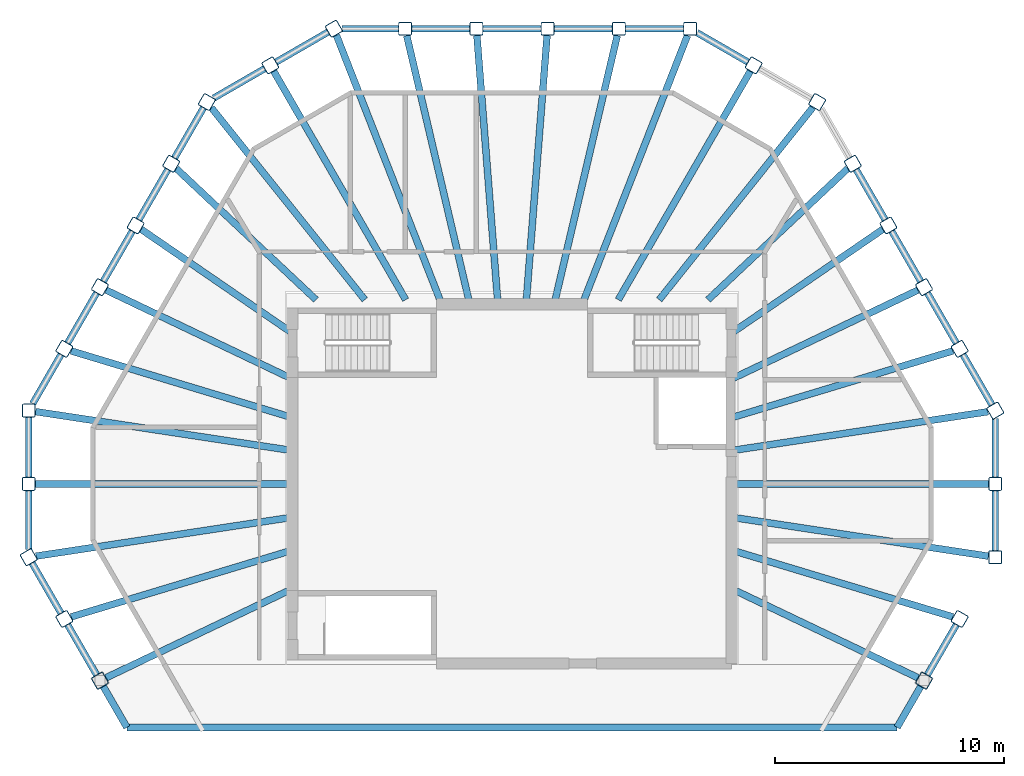
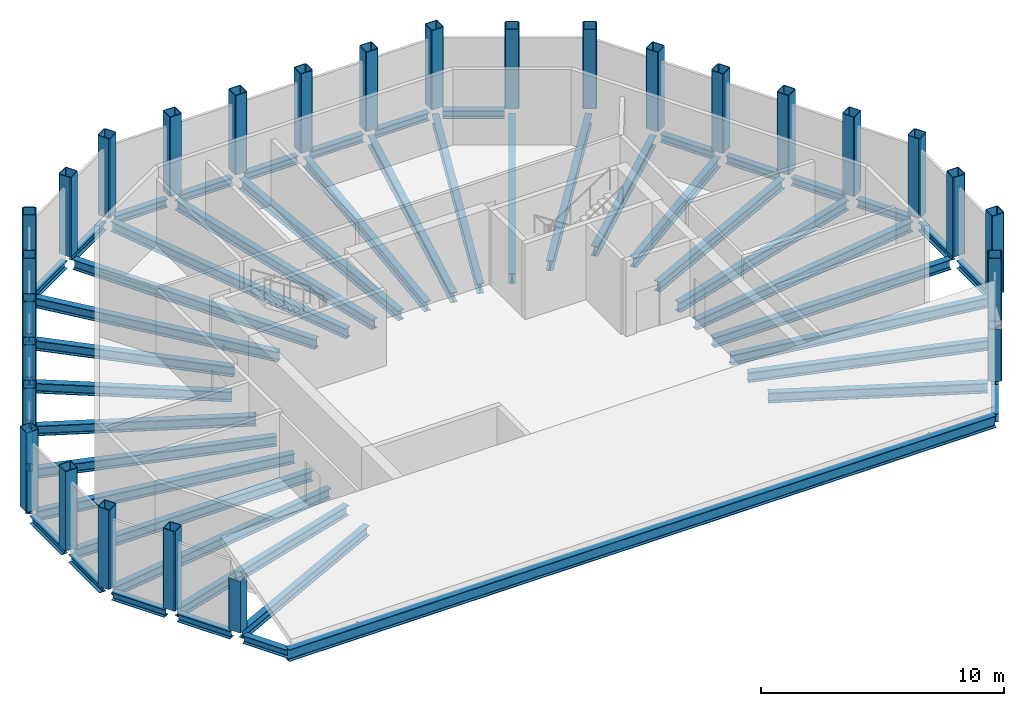
# One storey, part 1 of 4: 55 beams, 28 columns.
"""IFC4 building model written with IfcOpenShell, lengths in metres."""

import ifcopenshell
import ifcopenshell.guid

model = None  # the IFC model being written
_history = None  # IfcOwnerHistory: only IFC2X3 demands one
_inside = {}  # id of a spatial element -> (the spatial element, [elements in it])
_under = {}  # id of a project, library or spatial element -> (it, [spatial elements below it])
_declared = {}  # id of a project -> (the project, [libraries it declares])
_typed = {}  # id of a type object -> (the type object, [elements of that type])
_made_of = {}  # id of a material, layer set ... -> (it, [elements and type objects made of it])


def new_model(schema):
    """Start an empty IFC model of exactly this schema.

    Asked for "IFC4X3", IfcOpenShell would pick the latest addendum, in which some entities
    have other attributes; the version numbers below select the first issue.
    IFC2X3 requires an IfcOwnerHistory on every rooted entity: one is made here for all.
    """
    global model, _history
    if schema == "IFC4X3":
        model = ifcopenshell.file(schema_version=(4, 3, 0, 0))
    else:
        model = ifcopenshell.file(schema=schema)
    _inside.clear()
    _under.clear()
    _declared.clear()
    _typed.clear()
    _made_of.clear()
    _history = None
    if model.schema == "IFC2X3":
        org = make("IfcOrganization", Name="unknown")
        user = make(
            "IfcPersonAndOrganization",
            ThePerson=make("IfcPerson", FamilyName="unknown"),
            TheOrganization=org,
        )
        app = make(
            "IfcApplication",
            ApplicationDeveloper=org,
            Version="unknown",
            ApplicationFullName="unknown",
            ApplicationIdentifier="unknown",
        )
        _history = make(
            "IfcOwnerHistory",
            OwningUser=user,
            OwningApplication=app,
            ChangeAction="ADDED",
            CreationDate=0,
        )
    return model


def make(cls, **values):
    """One entity of the class cls with the attributes given. An attribute that is None is left unset."""
    return model.create_entity(
        cls, **{name: value for name, value in values.items() if value is not None}
    )


def rooted(cls, **values):
    """An entity with a GlobalId (a new one), such as an element, a storey or a relation."""
    return make(cls, GlobalId=ifcopenshell.guid.new(), OwnerHistory=_history, **values)


def si_unit(unit_type, name, prefix=None):
    """IfcSIUnit, for example si_unit("LENGTHUNIT", "METRE", prefix="MILLI")."""
    return make("IfcSIUnit", UnitType=unit_type, Prefix=prefix, Name=name)


def assignment(units):
    """IfcUnitAssignment: the units of a project."""
    return None if units is None else make("IfcUnitAssignment", Units=units)


def point(xyz):
    """IfcCartesianPoint."""
    return None if xyz is None else make("IfcCartesianPoint", Coordinates=xyz)


def direction(xyz):
    """IfcDirection."""
    return None if xyz is None else make("IfcDirection", DirectionRatios=xyz)


def frame(location, z_axis=None, x_axis=None):
    """IfcAxis2Placement3D, a coordinate frame: its origin and axes. An axis left out is left unset."""
    return make(
        "IfcAxis2Placement3D",
        Location=point(location),
        Axis=direction(z_axis),
        RefDirection=direction(x_axis),
    )


def frame_2d(location, x_axis=None):
    """IfcAxis2Placement2D, a coordinate frame in the plane: its origin and x axis."""
    return make(
        "IfcAxis2Placement2D", Location=point(location), RefDirection=direction(x_axis)
    )


def origin():
    """The frame at (0, 0, 0) with its axes left unset."""
    return frame((0.0, 0.0, 0.0))


def origin_2d():
    """The frame at (0, 0) in the plane with its x axis left unset."""
    return frame_2d((0.0, 0.0))


def place(relative_to, where):
    """IfcLocalPlacement: puts the frame where relative to a parent placement (None: the world)."""
    return make(
        "IfcLocalPlacement", PlacementRelTo=relative_to, RelativePlacement=where
    )


def context(
    kind, dimensions, precision=None, world=None, true_north=None, identifier=None
):
    """IfcGeometricRepresentationContext, for example the 3D "Model" context."""
    return make(
        "IfcGeometricRepresentationContext",
        ContextIdentifier=identifier,
        ContextType=kind,
        CoordinateSpaceDimension=dimensions,
        Precision=precision,
        WorldCoordinateSystem=world,
        TrueNorth=true_north,
    )


def subcontext(parent, identifier, kind, view, scale=None):
    """IfcGeometricRepresentationSubContext, for example "Body" below "Model"."""
    return make(
        "IfcGeometricRepresentationSubContext",
        ContextIdentifier=identifier,
        ContextType=kind,
        ParentContext=parent,
        TargetScale=scale,
        TargetView=view,
    )


def project(units=None, contexts=None):
    """IfcProject with its units and contexts."""
    return rooted(
        "IfcProject",
        Name="project",
        RepresentationContexts=contexts,
        UnitsInContext=assignment(units),
    )


def spatial(cls, under=None, at=None, **own):
    """A site, building, storey or space (cls), placed at a placement, below another one or the project."""
    s = rooted(cls, ObjectPlacement=at, **own)
    if under is not None:
        _under.setdefault(under.id(), (under, []))[1].append(s)
    return s


def profile(cls, at=None, kind="AREA", **sizes):
    """A parametric profile (cls). Its sizes go by their IFC names, for example OverallWidth=200.0."""
    return make(cls, ProfileType=kind, Position=at, **sizes)


def hollow_rectangle(**sizes):
    """IfcRectangleHollowProfileDef."""
    return profile("IfcRectangleHollowProfileDef", **sizes)


def i_section(**sizes):
    """IfcIShapeProfileDef."""
    return profile("IfcIShapeProfileDef", **sizes)


def extrude(swept, where, along, depth):
    """IfcExtrudedAreaSolid: the profile swept, set in the frame where, extruded along a direction by depth."""
    return make(
        "IfcExtrudedAreaSolid",
        SweptArea=swept,
        Position=where,
        ExtrudedDirection=direction(along),
        Depth=depth,
    )


def shape(context_of_items, identifier, shape_type, items):
    """IfcShapeRepresentation: the items that make up one representation, for example the "Body"."""
    return make(
        "IfcShapeRepresentation",
        ContextOfItems=context_of_items,
        RepresentationIdentifier=identifier,
        RepresentationType=shape_type,
        Items=items,
    )


def material(Name=None, Category=None):
    """IfcMaterial."""
    return make("IfcMaterial", Name=Name, Category=Category)


def material_profile(
    of_material, cross_section, Name=None, Category=None, Priority=None
):
    """IfcMaterialProfile: a cross section and its material."""
    return make(
        "IfcMaterialProfile",
        Name=Name,
        Material=of_material,
        Profile=cross_section,
        Priority=Priority,
        Category=Category,
    )


def profile_set(profiles, Name=None, composite=None):
    """IfcMaterialProfileSet."""
    return make(
        "IfcMaterialProfileSet",
        Name=Name,
        MaterialProfiles=profiles,
        CompositeProfile=composite,
    )


def made_of(thing, what):
    """Note that an element or type object is made of a material, layer set ...; save() writes the relation."""
    if what is not None:
        _made_of.setdefault(what.id(), (what, []))[1].append(thing)
    return thing


def type_object(cls, material=None, **own):
    """A type object (cls), such as IfcWallType, which elements share."""
    return made_of(rooted(cls, **own), material)


def element(
    cls,
    number,
    at=None,
    inside=None,
    cuts=None,
    type_object=None,
    material=None,
    context=None,
    identifier="Body",
    shape_type=None,
    held_by="IfcProductDefinitionShape",
    body=None,
    shapes=None,
    **own,
):
    """One element of the class cls, such as IfcWall. Its Tag is "e" and its number.

    at: its placement. inside: the storey or other place that contains it. cuts: it is an
    opening in that element (IfcRelVoidsElement). A single representation is given by context,
    identifier, shape_type and body (its items); several are given by shapes. held_by: the class
    of the entity that holds the representations. save() writes the other relations.
    """
    e = rooted(cls, Tag="e%d" % number, ObjectPlacement=at, **own)
    if body is not None:
        shapes = [shape(context, identifier, shape_type, body)]
    if shapes is not None:
        e.Representation = make(held_by, Representations=shapes)
    if inside is not None:
        _inside.setdefault(inside.id(), (inside, []))[1].append(e)
    if cuts is not None:
        rooted(
            "IfcRelVoidsElement", RelatingBuildingElement=cuts, RelatedOpeningElement=e
        )
    if type_object is not None:
        _typed.setdefault(type_object.id(), (type_object, []))[1].append(e)
    return made_of(e, material)


def aggregate(whole, parts):
    """IfcRelAggregates: a whole, such as a stair, and the parts it consists of."""
    return rooted("IfcRelAggregates", RelatingObject=whole, RelatedObjects=parts)


def save(model, path):
    """Write the relations noted so far, then the file.

    IfcRelAggregates (storeys below a building ...), IfcRelContainedInSpatialStructure (elements
    in a storey), IfcRelDefinesByType, IfcRelAssociatesMaterial and IfcRelDeclares: one each for
    every whole, place, type object, material and project.
    """
    for whole, parts in _under.values():
        aggregate(whole, parts)
    for where, things in _inside.values():
        rooted(
            "IfcRelContainedInSpatialStructure",
            RelatedElements=things,
            RelatingStructure=where,
        )
    for kind, things in _typed.values():
        rooted("IfcRelDefinesByType", RelatedObjects=things, RelatingType=kind)
    for what, things in _made_of.values():
        rooted("IfcRelAssociatesMaterial", RelatedObjects=things, RelatingMaterial=what)
    for by, libraries in _declared.values():
        rooted("IfcRelDeclares", RelatingContext=by, RelatedDefinitions=libraries)
    model.write(path)


model = new_model("IFC4")

# Units and contexts
model_context = context("Model", 3, precision=1e-05, world=origin(), true_north=direction((0.0, 1.0)))
body_context = subcontext(model_context, "Body", "Model", "MODEL_VIEW")
ifc_project = project(units=[si_unit("LENGTHUNIT", "METRE"), si_unit("AREAUNIT", "SQUARE_METRE"), si_unit("VOLUMEUNIT", "CUBIC_METRE"), si_unit("PLANEANGLEUNIT", "RADIAN"), si_unit("MASSUNIT", "GRAM", prefix="KILO")], contexts=[model_context])

# Site, building, storey
site_placement = place(None, origin())
site = spatial("IfcSite", under=ifc_project, at=site_placement, CompositionType="ELEMENT")
building_placement = place(site_placement, origin())
building = spatial("IfcBuilding", under=site, at=building_placement, Name="Frailejon Research Tower", CompositionType="ELEMENT")
storey_placement = place(building_placement, frame((0.0, 0.0, 356.60009765625)))
storey = spatial("IfcBuildingStorey", under=building, at=storey_placement, Name="L80", CompositionType="ELEMENT", Elevation=356.60009765625)

# Columns
ifc_material_1 = material(Name="Steel S355", Category="steel")
ifc_material_profile_1 = material_profile(ifc_material_1, hollow_rectangle(XDim=0.60009765625, YDim=0.60009765625, WallThickness=0.0400390625, InnerFilletRadius=0.0400390625, OuterFilletRadius=0.080078125, at=origin_2d()), Name="Crown column")
ifc_profile_set_1 = profile_set([ifc_material_profile_1], Name="Steel S355")
column_type = type_object("IfcColumnType", Name="Crown column", PredefinedType="COLUMN", material=ifc_profile_set_1)
for number, where, z_axis, x_axis, name in (
    (1, (21.12744140625, -3.2060546875, 0.0), (0.0, 0.0, 1.0), (0.0, 1.0, 0.0), "Column C01"),
    (2, (21.12744140625, 0.0, 0.0), (0.0, 0.0, 1.0), (0.0, 1.0, 0.0), "Column C02"),
    (3, (21.12744140625, 3.2060546875, 0.0), (0.0, 0.0, 1.0), (-0.5, 0.866025403784, 0.0), "Column C03"),
    (4, (19.570068359375, 5.903564453125, 0.0), (0.0, 0.0, 1.0), (-0.5, 0.866025403784, 0.0), "Column C04"),
    (5, (18.0126953125, 8.601318359375, 0.0), (0.0, 0.0, 1.0), (-0.5, 0.866025403784, 0.0), "Column C05"),
    (6, (16.455078125, 11.298828125, 0.0), (0.0, 0.0, 1.0), (-0.5, 0.866025403784, 0.0), "Column C06"),
    (7, (14.897705078125, 13.996337890625, 0.0), (0.0, 0.0, 1.0), (-0.5, 0.866025403784, 0.0), "Column C07"),
    (8, (13.34033203125, 16.69384765625, 0.0), (0.0, 0.0, 1.0), (-0.866025403784, 0.5, 0.0), "Column C08"),
    (9, (10.563720703125, 18.297119140625, 0.0), (0.0, 0.0, 1.0), (-0.866025403784, 0.5, 0.0), "Column C09"),
    (10, (7.787109375, 19.89990234375, 0.0), (0.0, 0.0, 1.0), (-1.0, 0.0, 0.0), "Column C10"),
    (11, (4.67236328125, 19.89990234375, 0.0), (0.0, 0.0, 1.0), (-1.0, 0.0, 0.0), "Column C11"),
    (12, (1.557373046875, 19.89990234375, 0.0), (0.0, 0.0, 1.0), (-1.0, 0.0, 0.0), "Column C12"),
    (13, (-1.557373046875, 19.89990234375, 0.0), (0.0, 0.0, 1.0), (-1.0, 0.0, 0.0), "Column C13"),
    (14, (-4.67236328125, 19.89990234375, 0.0), (0.0, 0.0, 1.0), (-1.0, 0.0, 0.0), "Column C14"),
    (15, (-7.787109375, 19.89990234375, 0.0), (0.0, 0.0, 1.0), (-0.866025403784, -0.5, 0.0), "Column C15"),
    (16, (-10.563720703125, 18.297119140625, 0.0), (0.0, 0.0, 1.0), (-0.866025403784, -0.5, 0.0), "Column C16"),
    (17, (-13.34033203125, 16.69384765625, 0.0), (0.0, 0.0, 1.0), (-0.5, -0.866025403784, 0.0), "Column C17"),
    (18, (-14.897705078125, 13.996337890625, 0.0), (0.0, 0.0, 1.0), (-0.5, -0.866025403784, 0.0), "Column C18"),
    (19, (-16.455078125, 11.298828125, 0.0), (0.0, 0.0, 1.0), (-0.5, -0.866025403784, 0.0), "Column C19"),
    (20, (-18.0126953125, 8.601318359375, 0.0), (0.0, 0.0, 1.0), (-0.5, -0.866025403784, 0.0), "Column C20"),
    (21, (-19.570068359375, 5.903564453125, 0.0), (0.0, 0.0, 1.0), (-0.5, -0.866025403784, 0.0), "Column C21"),
    (22, (-21.12744140625, 3.2060546875, 0.0), (0.0, 0.0, 1.0), (0.0, -1.0, 0.0), "Column C22"),
    (23, (-21.12744140625, 0.0, 0.0), (0.0, 0.0, 1.0), (0.0, -1.0, 0.0), "Column C23"),
    (24, (-21.12744140625, -3.2060546875, 0.0), (0.0, 0.0, 1.0), (0.5, -0.866025403784, 0.0), "Column C24"),
    (25, (-19.570068359375, -5.903564453125, 0.0), (0.0, 0.0, 1.0), (0.5, -0.866025403784, 0.0), "Column C25"),
):
    element("IfcColumn", number, at=place(storey_placement, frame(where, z_axis=z_axis, x_axis=x_axis)), inside=storey, type_object=column_type, Name=name, PredefinedType="COLUMN", context=body_context, shape_type="SweptSolid", body=[
        extrude(hollow_rectangle(XDim=0.60009765625, YDim=0.60009765625, WallThickness=0.0400390625, InnerFilletRadius=0.0400390625, OuterFilletRadius=0.080078125, at=origin_2d()), origin(), (0.0, 0.0, 1.0), 4.0),
    ])
for number, where, z_axis, x_axis, name in (
    (26, (-18.0126953125, -8.601318359375, 0.0), (0.0, 0.0, 1.0), (0.5, -0.866025403784, 0.0), "Column C26"),
    (27, (18.0126953125, -8.601318359375, 0.0), (0.0, 0.0, 1.0), (0.5, 0.866025403784, 0.0), "Column C41"),
):
    element("IfcColumn", number, at=place(storey_placement, frame(where, z_axis=z_axis, x_axis=x_axis)), inside=storey, type_object=column_type, Name=name, PredefinedType="COLUMN", context=body_context, shape_type="SweptSolid", body=[
        extrude(hollow_rectangle(XDim=0.60009765625, YDim=0.60009765625, WallThickness=0.0400390625, InnerFilletRadius=0.0400390625, OuterFilletRadius=0.080078125, at=origin_2d()), origin(), (0.0, 0.0, 1.0), 2.603515625),
    ])
column_placement = place(storey_placement, frame((19.570068359375, -5.903564453125, 0.0), z_axis=(0.0, 0.0, 1.0), x_axis=(0.5, 0.866025403784, 0.0)))
element("IfcColumn", 28, at=column_placement, inside=storey, type_object=column_type, Name="Column C42", PredefinedType="COLUMN", context=body_context, shape_type="SweptSolid", body=[
    extrude(hollow_rectangle(XDim=0.60009765625, YDim=0.60009765625, WallThickness=0.0400390625, InnerFilletRadius=0.0400390625, OuterFilletRadius=0.080078125, at=origin_2d()), origin(), (0.0, 0.0, 1.0), 4.0),
])

# Beams
ifc_material_2 = material(Name="Steel S355", Category="steel")
ifc_material_profile_2 = material_profile(ifc_material_2, i_section(OverallWidth=0.300048828125, OverallDepth=0.60009765625, WebThickness=0.015380859375, FlangeThickness=0.030029296875, FilletRadius=0.027099609375, at=origin_2d()), Name="HE 600 B")
ifc_profile_set_2 = profile_set([ifc_material_profile_2], Name="Steel S355")
beam_type_1 = type_object("IfcBeamType", Name="Crown chord beam", PredefinedType="BEAM", material=ifc_profile_set_2)
beam_1_placement = place(storey_placement, frame((16.833984375, -10.642822265625, -0.5), z_axis=(-1.0, 0.0, 0.0), x_axis=(0.0, -1.0, 0.0)))
element("IfcBeam", 29, at=beam_1_placement, inside=storey, type_object=beam_type_1, Name="Crown chord beam", PredefinedType="BEAM", context=body_context, shape_type="SweptSolid", body=[
    extrude(i_section(OverallWidth=0.300048828125, OverallDepth=0.60009765625, WebThickness=0.015380859375, FlangeThickness=0.030029296875, FilletRadius=0.027099609375, at=origin_2d()), origin(), (0.0, 0.0, 1.0), 33.66796875),
])
ifc_material_3 = material(Name="Steel S355", Category="steel")
ifc_material_profile_3 = material_profile(ifc_material_3, i_section(OverallWidth=0.300048828125, OverallDepth=0.5, WebThickness=0.014404296875, FlangeThickness=0.028076171875, FilletRadius=0.027099609375, at=origin_2d()), Name="HE 500 B")
ifc_profile_set_3 = profile_set([ifc_material_profile_3], Name="Steel S355")
beam_type_2 = type_object("IfcBeamType", Name="Crown girder", PredefinedType="BEAM", material=ifc_profile_set_3)
beam_2_placement = place(storey_placement, frame((20.827392578125, -3.16064453125, -0.4501953125), z_axis=(-0.988679931641, 0.150039970575, 0.0), x_axis=(-0.150039970575, -0.988679931641, 0.0)))
element("IfcBeam", 30, at=beam_2_placement, inside=storey, type_object=beam_type_2, Name="Crown girder", PredefinedType="BEAM", context=body_context, shape_type="SweptSolid", body=[
    extrude(i_section(OverallWidth=0.300048828125, OverallDepth=0.5, WebThickness=0.014404296875, FlangeThickness=0.028076171875, FilletRadius=0.027099609375, at=origin_2d()), origin(), (0.0, 0.0, 1.0), 11.406494140625),
])
beam_3_placement = place(storey_placement, frame((20.827392578125, 0.0, -0.4501953125), z_axis=(-1.0, 0.0, 0.0), x_axis=(0.0, -1.0, 0.0)))
element("IfcBeam", 31, at=beam_3_placement, inside=storey, type_object=beam_type_2, Name="Crown girder", PredefinedType="BEAM", context=body_context, shape_type="SweptSolid", body=[
    extrude(i_section(OverallWidth=0.300048828125, OverallDepth=0.5, WebThickness=0.014404296875, FlangeThickness=0.028076171875, FilletRadius=0.027099609375, at=origin_2d()), origin(), (0.0, 0.0, 1.0), 11.27734375),
])
beam_4_placement = place(storey_placement, frame((20.80908203125, 3.15771484375, -0.4501953125), z_axis=(-0.988681897443, -0.150027016465, 0.0), x_axis=(0.150027016465, -0.988681897443, 0.0)))
element("IfcBeam", 32, at=beam_4_placement, inside=storey, type_object=beam_type_2, Name="Crown girder", PredefinedType="BEAM", context=body_context, shape_type="SweptSolid", body=[
    extrude(i_section(OverallWidth=0.300048828125, OverallDepth=0.5, WebThickness=0.014404296875, FlangeThickness=0.028076171875, FilletRadius=0.027099609375, at=origin_2d()), origin(), (0.0, 0.0, 1.0), 11.387939453125),
])
beam_5_placement = place(storey_placement, frame((19.275146484375, 5.814697265625, -0.4501953125), z_axis=(-0.957383273928, -0.288820475041, 0.0), x_axis=(0.288820475041, -0.957383273928, 0.0)))
element("IfcBeam", 33, at=beam_5_placement, inside=storey, type_object=beam_type_2, Name="Crown girder", PredefinedType="BEAM", context=body_context, shape_type="SweptSolid", body=[
    extrude(i_section(OverallWidth=0.300048828125, OverallDepth=0.5, WebThickness=0.014404296875, FlangeThickness=0.028076171875, FilletRadius=0.027099609375, at=origin_2d()), origin(), (0.0, 0.0, 1.0), 10.157958984375),
])
beam_6_placement = place(storey_placement, frame((17.7412109375, 8.471435546875, -0.4501953125), z_axis=(-0.902407599348, -0.430883423491, 0.0), x_axis=(0.430883423491, -0.902407599348, 0.0)))
element("IfcBeam", 34, at=beam_6_placement, inside=storey, type_object=beam_type_2, Name="Crown girder", PredefinedType="BEAM", context=body_context, shape_type="SweptSolid", body=[
    extrude(i_section(OverallWidth=0.300048828125, OverallDepth=0.5, WebThickness=0.014404296875, FlangeThickness=0.028076171875, FilletRadius=0.027099609375, at=origin_2d()), origin(), (0.0, 0.0, 1.0), 9.076904296875),
])
beam_7_placement = place(storey_placement, frame((16.20703125, 11.12841796875, -0.4501953125), z_axis=(-0.824367295754, -0.566055263814, 0.0), x_axis=(0.566055263814, -0.824367295754, 0.0)))
element("IfcBeam", 35, at=beam_7_placement, inside=storey, type_object=beam_type_2, Name="Crown girder", PredefinedType="BEAM", context=body_context, shape_type="SweptSolid", body=[
    extrude(i_section(OverallWidth=0.300048828125, OverallDepth=0.5, WebThickness=0.014404296875, FlangeThickness=0.028076171875, FilletRadius=0.027099609375, at=origin_2d()), origin(), (0.0, 0.0, 1.0), 8.0751953125),
])
beam_8_placement = place(storey_placement, frame((14.673095703125, 13.785400390625, -0.4501953125), z_axis=(-0.728812369992, -0.684713465141, 0.0), x_axis=(0.684713465141, -0.728812369992, 0.0)))
element("IfcBeam", 36, at=beam_8_placement, inside=storey, type_object=beam_type_2, Name="Crown girder", PredefinedType="BEAM", context=body_context, shape_type="SweptSolid", body=[
    extrude(i_section(OverallWidth=0.300048828125, OverallDepth=0.5, WebThickness=0.014404296875, FlangeThickness=0.028076171875, FilletRadius=0.027099609375, at=origin_2d()), origin(), (0.0, 0.0, 1.0), 8.376220703125),
])
beam_9_placement = place(storey_placement, frame((13.15087890625, 16.456787109375, -0.4501953125), z_axis=(-0.624277186009, -0.781202915399, 0.0), x_axis=(0.781202915399, -0.624277186009, 0.0)))
element("IfcBeam", 37, at=beam_9_placement, inside=storey, type_object=beam_type_2, Name="Crown girder", PredefinedType="BEAM", context=body_context, shape_type="SweptSolid", body=[
    extrude(i_section(OverallWidth=0.300048828125, OverallDepth=0.5, WebThickness=0.014404296875, FlangeThickness=0.028076171875, FilletRadius=0.027099609375, at=origin_2d()), origin(), (0.0, 0.0, 1.0), 10.76123046875),
])
beam_10_placement = place(storey_placement, frame((10.413818359375, 18.037109375, -0.4501953125), z_axis=(-0.500005279996, -0.866022355356, 0.0), x_axis=(0.866022355356, -0.500005279996, 0.0)))
element("IfcBeam", 38, at=beam_10_placement, inside=storey, type_object=beam_type_2, Name="Crown girder", PredefinedType="BEAM", context=body_context, shape_type="SweptSolid", body=[
    extrude(i_section(OverallWidth=0.300048828125, OverallDepth=0.5, WebThickness=0.014404296875, FlangeThickness=0.028076171875, FilletRadius=0.027099609375, at=origin_2d()), origin(), (0.0, 0.0, 1.0), 11.5322265625),
])
beam_11_placement = place(storey_placement, frame((7.669921875, 19.60009765625, -0.4501953125), z_axis=(-0.364412707951, -0.931237552015, 0.0), x_axis=(0.931237552015, -0.364412707951, 0.0)))
element("IfcBeam", 39, at=beam_11_placement, inside=storey, type_object=beam_type_2, Name="Crown girder", PredefinedType="BEAM", context=body_context, shape_type="SweptSolid", body=[
    extrude(i_section(OverallWidth=0.300048828125, OverallDepth=0.5, WebThickness=0.014404296875, FlangeThickness=0.028076171875, FilletRadius=0.027099609375, at=origin_2d()), origin(), (0.0, 0.0, 1.0), 12.40283203125),
])
beam_12_placement = place(storey_placement, frame((4.601806640625, 19.60009765625, -0.4501953125), z_axis=(-0.228561016932, -0.973529589452, 0.0), x_axis=(0.973529589452, -0.228561016932, 0.0)))
element("IfcBeam", 40, at=beam_12_placement, inside=storey, type_object=beam_type_2, Name="Crown girder", PredefinedType="BEAM", context=body_context, shape_type="SweptSolid", body=[
    extrude(i_section(OverallWidth=0.300048828125, OverallDepth=0.5, WebThickness=0.014404296875, FlangeThickness=0.028076171875, FilletRadius=0.027099609375, at=origin_2d()), origin(), (0.0, 0.0, 1.0), 11.864013671875),
])
for number, where, z_axis, x_axis, name in (
    (41, (1.533935546875, 19.60009765625, -0.4501953125), (-0.078033956508, -0.996950701706, 0.0), (0.996950701706, -0.078033956508, 0.0), "Crown girder"),
    (42, (-1.533935546875, 19.60009765625, -0.4501953125), (0.078033956508, -0.996950701706, 0.0), (0.996950701706, 0.078033956508, 0.0), "Crown girder"),
):
    element("IfcBeam", number, at=place(storey_placement, frame(where, z_axis=z_axis, x_axis=x_axis)), inside=storey, type_object=beam_type_2, Name=name, PredefinedType="BEAM", context=body_context, shape_type="SweptSolid", body=[
        extrude(i_section(OverallWidth=0.300048828125, OverallDepth=0.5, WebThickness=0.014404296875, FlangeThickness=0.028076171875, FilletRadius=0.027099609375, at=origin_2d()), origin(), (0.0, 0.0, 1.0), 11.58544921875),
    ])
beam_13_placement = place(storey_placement, frame((-4.601806640625, 19.60009765625, -0.4501953125), z_axis=(0.228561016932, -0.973529589452, 0.0), x_axis=(0.973529589452, 0.228561016932, 0.0)))
element("IfcBeam", 43, at=beam_13_placement, inside=storey, type_object=beam_type_2, Name="Crown girder", PredefinedType="BEAM", context=body_context, shape_type="SweptSolid", body=[
    extrude(i_section(OverallWidth=0.300048828125, OverallDepth=0.5, WebThickness=0.014404296875, FlangeThickness=0.028076171875, FilletRadius=0.027099609375, at=origin_2d()), origin(), (0.0, 0.0, 1.0), 11.864013671875),
])
beam_14_placement = place(storey_placement, frame((-7.676513671875, 19.617431640625, -0.4501953125), z_axis=(0.364399348581, -0.931242779706, 0.0), x_axis=(0.931242779706, 0.364399348581, 0.0)))
element("IfcBeam", 44, at=beam_14_placement, inside=storey, type_object=beam_type_2, Name="Crown girder", PredefinedType="BEAM", context=body_context, shape_type="SweptSolid", body=[
    extrude(i_section(OverallWidth=0.300048828125, OverallDepth=0.5, WebThickness=0.014404296875, FlangeThickness=0.028076171875, FilletRadius=0.027099609375, at=origin_2d()), origin(), (0.0, 0.0, 1.0), 12.42138671875),
])
beam_15_placement = place(storey_placement, frame((-10.413818359375, 18.037109375, -0.4501953125), z_axis=(0.500005279996, -0.866022355356, 0.0), x_axis=(0.866022355356, 0.500005279996, 0.0)))
element("IfcBeam", 45, at=beam_15_placement, inside=storey, type_object=beam_type_2, Name="Crown girder", PredefinedType="BEAM", context=body_context, shape_type="SweptSolid", body=[
    extrude(i_section(OverallWidth=0.300048828125, OverallDepth=0.5, WebThickness=0.014404296875, FlangeThickness=0.028076171875, FilletRadius=0.027099609375, at=origin_2d()), origin(), (0.0, 0.0, 1.0), 11.5322265625),
])
beam_16_placement = place(storey_placement, frame((-13.13916015625, 16.442138671875, -0.4501953125), z_axis=(0.624276456161, -0.781203498637, 0.0), x_axis=(0.781203498637, 0.624276456161, 0.0)))
element("IfcBeam", 46, at=beam_16_placement, inside=storey, type_object=beam_type_2, Name="Crown girder", PredefinedType="BEAM", context=body_context, shape_type="SweptSolid", body=[
    extrude(i_section(OverallWidth=0.300048828125, OverallDepth=0.5, WebThickness=0.014404296875, FlangeThickness=0.028076171875, FilletRadius=0.027099609375, at=origin_2d()), origin(), (0.0, 0.0, 1.0), 10.742431640625),
])
beam_17_placement = place(storey_placement, frame((-14.673095703125, 13.785400390625, -0.4501953125), z_axis=(0.728812369992, -0.684713465141, 0.0), x_axis=(0.684713465141, 0.728812369992, 0.0)))
element("IfcBeam", 47, at=beam_17_placement, inside=storey, type_object=beam_type_2, Name="Crown girder", PredefinedType="BEAM", context=body_context, shape_type="SweptSolid", body=[
    extrude(i_section(OverallWidth=0.300048828125, OverallDepth=0.5, WebThickness=0.014404296875, FlangeThickness=0.028076171875, FilletRadius=0.027099609375, at=origin_2d()), origin(), (0.0, 0.0, 1.0), 8.376220703125),
])
beam_18_placement = place(storey_placement, frame((-16.20703125, 11.12841796875, -0.4501953125), z_axis=(0.824367295754, -0.566055263814, 0.0), x_axis=(0.566055263814, 0.824367295754, 0.0)))
element("IfcBeam", 48, at=beam_18_placement, inside=storey, type_object=beam_type_2, Name="Crown girder", PredefinedType="BEAM", context=body_context, shape_type="SweptSolid", body=[
    extrude(i_section(OverallWidth=0.300048828125, OverallDepth=0.5, WebThickness=0.014404296875, FlangeThickness=0.028076171875, FilletRadius=0.027099609375, at=origin_2d()), origin(), (0.0, 0.0, 1.0), 8.0751953125),
])
beam_19_placement = place(storey_placement, frame((-17.7412109375, 8.471435546875, -0.4501953125), z_axis=(0.902407599348, -0.430883423491, 0.0), x_axis=(0.430883423491, 0.902407599348, 0.0)))
element("IfcBeam", 49, at=beam_19_placement, inside=storey, type_object=beam_type_2, Name="Crown girder", PredefinedType="BEAM", context=body_context, shape_type="SweptSolid", body=[
    extrude(i_section(OverallWidth=0.300048828125, OverallDepth=0.5, WebThickness=0.014404296875, FlangeThickness=0.028076171875, FilletRadius=0.027099609375, at=origin_2d()), origin(), (0.0, 0.0, 1.0), 9.076904296875),
])
beam_20_placement = place(storey_placement, frame((-19.275146484375, 5.814697265625, -0.4501953125), z_axis=(0.957383273928, -0.288820475041, 0.0), x_axis=(0.288820475041, 0.957383273928, 0.0)))
element("IfcBeam", 50, at=beam_20_placement, inside=storey, type_object=beam_type_2, Name="Crown girder", PredefinedType="BEAM", context=body_context, shape_type="SweptSolid", body=[
    extrude(i_section(OverallWidth=0.300048828125, OverallDepth=0.5, WebThickness=0.014404296875, FlangeThickness=0.028076171875, FilletRadius=0.027099609375, at=origin_2d()), origin(), (0.0, 0.0, 1.0), 10.157958984375),
])
beam_21_placement = place(storey_placement, frame((-20.827392578125, 3.16064453125, -0.4501953125), z_axis=(0.988679931641, -0.150039970575, 0.0), x_axis=(0.150039970575, 0.988679931641, 0.0)))
element("IfcBeam", 51, at=beam_21_placement, inside=storey, type_object=beam_type_2, Name="Crown girder", PredefinedType="BEAM", context=body_context, shape_type="SweptSolid", body=[
    extrude(i_section(OverallWidth=0.300048828125, OverallDepth=0.5, WebThickness=0.014404296875, FlangeThickness=0.028076171875, FilletRadius=0.027099609375, at=origin_2d()), origin(), (0.0, 0.0, 1.0), 11.406494140625),
])
beam_22_placement = place(storey_placement, frame((-20.827392578125, 0.0, -0.4501953125), z_axis=(1.0, 0.0, 0.0), x_axis=(0.0, 1.0, 0.0)))
element("IfcBeam", 52, at=beam_22_placement, inside=storey, type_object=beam_type_2, Name="Crown girder", PredefinedType="BEAM", context=body_context, shape_type="SweptSolid", body=[
    extrude(i_section(OverallWidth=0.300048828125, OverallDepth=0.5, WebThickness=0.014404296875, FlangeThickness=0.028076171875, FilletRadius=0.027099609375, at=origin_2d()), origin(), (0.0, 0.0, 1.0), 11.27734375),
])
beam_23_placement = place(storey_placement, frame((-20.80908203125, -3.15771484375, -0.4501953125), z_axis=(0.988681897443, 0.150027016465, 0.0), x_axis=(-0.150027016465, 0.988681897443, 0.0)))
element("IfcBeam", 53, at=beam_23_placement, inside=storey, type_object=beam_type_2, Name="Crown girder", PredefinedType="BEAM", context=body_context, shape_type="SweptSolid", body=[
    extrude(i_section(OverallWidth=0.300048828125, OverallDepth=0.5, WebThickness=0.014404296875, FlangeThickness=0.028076171875, FilletRadius=0.027099609375, at=origin_2d()), origin(), (0.0, 0.0, 1.0), 11.387939453125),
])
beam_24_placement = place(storey_placement, frame((-19.275146484375, -5.814697265625, -0.4501953125), z_axis=(0.957383273928, 0.288820475041, 0.0), x_axis=(-0.288820475041, 0.957383273928, 0.0)))
element("IfcBeam", 54, at=beam_24_placement, inside=storey, type_object=beam_type_2, Name="Crown girder", PredefinedType="BEAM", context=body_context, shape_type="SweptSolid", body=[
    extrude(i_section(OverallWidth=0.300048828125, OverallDepth=0.5, WebThickness=0.014404296875, FlangeThickness=0.028076171875, FilletRadius=0.027099609375, at=origin_2d()), origin(), (0.0, 0.0, 1.0), 10.157958984375),
])
for number, where, z_axis, x_axis, name in (
    (55, (-17.7412109375, -8.471435546875, -0.4501953125), (0.902407599348, 0.430883423491, 0.0), (-0.430883423491, 0.902407599348, 0.0), "Crown girder"),
    (56, (17.7412109375, -8.471435546875, -0.4501953125), (-0.902407599348, 0.430883423491, 0.0), (-0.430883423491, -0.902407599348, 0.0), "Crown girder"),
):
    element("IfcBeam", number, at=place(storey_placement, frame(where, z_axis=z_axis, x_axis=x_axis)), inside=storey, type_object=beam_type_2, Name=name, PredefinedType="BEAM", context=body_context, shape_type="SweptSolid", body=[
        extrude(i_section(OverallWidth=0.300048828125, OverallDepth=0.5, WebThickness=0.014404296875, FlangeThickness=0.028076171875, FilletRadius=0.027099609375, at=origin_2d()), origin(), (0.0, 0.0, 1.0), 9.076904296875),
    ])
beam_25_placement = place(storey_placement, frame((19.275146484375, -5.814697265625, -0.4501953125), z_axis=(-0.957383273928, 0.288820475041, 0.0), x_axis=(-0.288820475041, -0.957383273928, 0.0)))
element("IfcBeam", 57, at=beam_25_placement, inside=storey, type_object=beam_type_2, Name="Crown girder", PredefinedType="BEAM", context=body_context, shape_type="SweptSolid", body=[
    extrude(i_section(OverallWidth=0.300048828125, OverallDepth=0.5, WebThickness=0.014404296875, FlangeThickness=0.028076171875, FilletRadius=0.027099609375, at=origin_2d()), origin(), (0.0, 0.0, 1.0), 10.157958984375),
])
ifc_material_4 = material(Name="Steel S355", Category="steel")
ifc_material_profile_4 = material_profile(ifc_material_4, i_section(OverallWidth=0.300048828125, OverallDepth=0.39990234375, WebThickness=0.013427734375, FlangeThickness=0.02392578125, FilletRadius=0.027099609375, at=origin_2d()), Name="HE 400 B")
ifc_profile_set_4 = profile_set([ifc_material_profile_4], Name="Steel S355")
beam_type_3 = type_object("IfcBeamType", Name="Crown ring beam", PredefinedType="BEAM", material=ifc_profile_set_4)
beam_26_placement = place(storey_placement, frame((21.12744140625, -2.906005859375, -0.400146484375), z_axis=(0.0, 1.0, 0.0), x_axis=(-1.0, 0.0, 0.0)))
element("IfcBeam", 58, at=beam_26_placement, inside=storey, type_object=beam_type_3, Name="Crown ring beam", PredefinedType="BEAM", context=body_context, shape_type="SweptSolid", body=[
    extrude(i_section(OverallWidth=0.300048828125, OverallDepth=0.39990234375, WebThickness=0.013427734375, FlangeThickness=0.02392578125, FilletRadius=0.027099609375, at=origin_2d()), origin(), (0.0, 0.0, 1.0), 2.60595703125),
])
beam_27_placement = place(storey_placement, frame((21.12744140625, 0.300048828125, -0.400146484375), z_axis=(0.0, 1.0, 0.0), x_axis=(-1.0, 0.0, 0.0)))
element("IfcBeam", 59, at=beam_27_placement, inside=storey, type_object=beam_type_3, Name="Crown ring beam", PredefinedType="BEAM", context=body_context, shape_type="SweptSolid", body=[
    extrude(i_section(OverallWidth=0.300048828125, OverallDepth=0.39990234375, WebThickness=0.013427734375, FlangeThickness=0.02392578125, FilletRadius=0.027099609375, at=origin_2d()), origin(), (0.0, 0.0, 1.0), 2.5595703125),
])
for number, where, z_axis, x_axis, name in (
    (60, (20.9775390625, 3.4658203125, -0.400146484375), (-0.499960554673, 0.866048176357, 0.0), (-0.866048176357, -0.499960554673, 0.0), "Crown ring beam"),
    (61, (19.420166015625, 6.163330078125, -0.400146484375), (-0.500033362991, 0.866006140796, 0.0), (-0.866006140796, -0.500033362991, 0.0), "Crown ring beam"),
    (62, (17.862548828125, 8.861083984375, -0.400146484375), (-0.499960554673, 0.866048176357, 0.0), (-0.866048176357, -0.499960554673, 0.0), "Crown ring beam"),
    (63, (16.30517578125, 11.55859375, -0.400146484375), (-0.500033362991, 0.866006140796, 0.0), (-0.866006140796, -0.500033362991, 0.0), "Crown ring beam"),
):
    element("IfcBeam", number, at=place(storey_placement, frame(where, z_axis=z_axis, x_axis=x_axis)), inside=storey, type_object=beam_type_3, Name=name, PredefinedType="BEAM", context=body_context, shape_type="SweptSolid", body=[
        extrude(i_section(OverallWidth=0.300048828125, OverallDepth=0.39990234375, WebThickness=0.013427734375, FlangeThickness=0.02392578125, FilletRadius=0.027099609375, at=origin_2d()), origin(), (0.0, 0.0, 1.0), 2.514892578125),
    ])
beam_28_placement = place(storey_placement, frame((10.303955078125, 18.447021484375, -0.400146484375), z_axis=(-0.866039463868, 0.499975646431, 0.0), x_axis=(-0.499975646431, -0.866039463868, 0.0)))
element("IfcBeam", 64, at=beam_28_placement, inside=storey, type_object=beam_type_3, Name="Crown ring beam", PredefinedType="BEAM", context=body_context, shape_type="SweptSolid", body=[
    extrude(i_section(OverallWidth=0.300048828125, OverallDepth=0.39990234375, WebThickness=0.013427734375, FlangeThickness=0.02392578125, FilletRadius=0.027099609375, at=origin_2d()), origin(), (0.0, 0.0, 1.0), 2.559814453125),
])
for number, where, z_axis, x_axis, name in (
    (65, (7.4873046875, 19.89990234375, -0.400146484375), (-1.0, 0.0, 0.0), (0.0, -1.0, 0.0), "Crown ring beam"),
    (66, (4.372314453125, 19.89990234375, -0.400146484375), (-1.0, 0.0, 0.0), (0.0, -1.0, 0.0), "Crown ring beam"),
):
    element("IfcBeam", number, at=place(storey_placement, frame(where, z_axis=z_axis, x_axis=x_axis)), inside=storey, type_object=beam_type_3, Name=name, PredefinedType="BEAM", context=body_context, shape_type="SweptSolid", body=[
        extrude(i_section(OverallWidth=0.300048828125, OverallDepth=0.39990234375, WebThickness=0.013427734375, FlangeThickness=0.02392578125, FilletRadius=0.027099609375, at=origin_2d()), origin(), (0.0, 0.0, 1.0), 2.514892578125),
    ])
beam_29_placement = place(storey_placement, frame((1.25732421875, 19.89990234375, -0.400146484375), z_axis=(-1.0, 0.0, 0.0), x_axis=(0.0, -1.0, 0.0)))
element("IfcBeam", 67, at=beam_29_placement, inside=storey, type_object=beam_type_3, Name="Crown ring beam", PredefinedType="BEAM", context=body_context, shape_type="SweptSolid", body=[
    extrude(i_section(OverallWidth=0.300048828125, OverallDepth=0.39990234375, WebThickness=0.013427734375, FlangeThickness=0.02392578125, FilletRadius=0.027099609375, at=origin_2d()), origin(), (0.0, 0.0, 1.0), 2.5146484375),
])
beam_30_placement = place(storey_placement, frame((-1.857421875, 19.89990234375, -0.400146484375), z_axis=(-1.0, 0.0, 0.0), x_axis=(0.0, -1.0, 0.0)))
element("IfcBeam", 68, at=beam_30_placement, inside=storey, type_object=beam_type_3, Name="Crown ring beam", PredefinedType="BEAM", context=body_context, shape_type="SweptSolid", body=[
    extrude(i_section(OverallWidth=0.300048828125, OverallDepth=0.39990234375, WebThickness=0.013427734375, FlangeThickness=0.02392578125, FilletRadius=0.027099609375, at=origin_2d()), origin(), (0.0, 0.0, 1.0), 2.514892578125),
])
beam_31_placement = place(storey_placement, frame((-4.972412109375, 19.89990234375, -0.400146484375), z_axis=(-1.0, 0.0, 0.0), x_axis=(0.0, -1.0, 0.0)))
element("IfcBeam", 69, at=beam_31_placement, inside=storey, type_object=beam_type_3, Name="Crown ring beam", PredefinedType="BEAM", context=body_context, shape_type="SweptSolid", body=[
    extrude(i_section(OverallWidth=0.300048828125, OverallDepth=0.39990234375, WebThickness=0.013427734375, FlangeThickness=0.02392578125, FilletRadius=0.027099609375, at=origin_2d()), origin(), (0.0, 0.0, 1.0), 2.468505859375),
])
beam_32_placement = place(storey_placement, frame((-8.047119140625, 19.75, -0.400146484375), z_axis=(-0.866026453994, -0.499998180979, 0.0), x_axis=(0.499998180979, -0.866026453994, 0.0)))
element("IfcBeam", 70, at=beam_32_placement, inside=storey, type_object=beam_type_3, Name="Crown ring beam", PredefinedType="BEAM", context=body_context, shape_type="SweptSolid", body=[
    extrude(i_section(OverallWidth=0.300048828125, OverallDepth=0.39990234375, WebThickness=0.013427734375, FlangeThickness=0.02392578125, FilletRadius=0.027099609375, at=origin_2d()), origin(), (0.0, 0.0, 1.0), 2.60595703125),
])
beam_33_placement = place(storey_placement, frame((-10.823486328125, 18.14697265625, -0.400146484375), z_axis=(-0.866039463868, -0.499975646431, 0.0), x_axis=(0.499975646431, -0.866039463868, 0.0)))
element("IfcBeam", 71, at=beam_33_placement, inside=storey, type_object=beam_type_3, Name="Crown ring beam", PredefinedType="BEAM", context=body_context, shape_type="SweptSolid", body=[
    extrude(i_section(OverallWidth=0.300048828125, OverallDepth=0.39990234375, WebThickness=0.013427734375, FlangeThickness=0.02392578125, FilletRadius=0.027099609375, at=origin_2d()), origin(), (0.0, 0.0, 1.0), 2.559814453125),
])
for number, where, z_axis, x_axis, name in (
    (72, (-13.490234375, 16.43408203125, -0.400146484375), (-0.500033362991, -0.866006140796, 0.0), (0.866006140796, -0.500033362991, 0.0), "Crown ring beam"),
    (73, (-15.047607421875, 13.736572265625, -0.400146484375), (-0.500033362991, -0.866006140796, 0.0), (0.866006140796, -0.500033362991, 0.0), "Crown ring beam"),
    (74, (-16.605224609375, 11.0390625, -0.400146484375), (-0.499960554673, -0.866048176357, 0.0), (0.866048176357, -0.499960554673, 0.0), "Crown ring beam"),
    (75, (-18.16259765625, 8.34130859375, -0.400146484375), (-0.500033362991, -0.866006140796, 0.0), (0.866006140796, -0.500033362991, 0.0), "Crown ring beam"),
):
    element("IfcBeam", number, at=place(storey_placement, frame(where, z_axis=z_axis, x_axis=x_axis)), inside=storey, type_object=beam_type_3, Name=name, PredefinedType="BEAM", context=body_context, shape_type="SweptSolid", body=[
        extrude(i_section(OverallWidth=0.300048828125, OverallDepth=0.39990234375, WebThickness=0.013427734375, FlangeThickness=0.02392578125, FilletRadius=0.027099609375, at=origin_2d()), origin(), (0.0, 0.0, 1.0), 2.514892578125),
    ])
beam_34_placement = place(storey_placement, frame((-19.72021484375, 5.643798828125, -0.400146484375), z_axis=(-0.499979306572, -0.866037350811, 0.0), x_axis=(0.866037350811, -0.499979306572, 0.0)))
element("IfcBeam", 76, at=beam_34_placement, inside=storey, type_object=beam_type_3, Name="Crown ring beam", PredefinedType="BEAM", context=body_context, shape_type="SweptSolid", body=[
    extrude(i_section(OverallWidth=0.300048828125, OverallDepth=0.39990234375, WebThickness=0.013427734375, FlangeThickness=0.02392578125, FilletRadius=0.027099609375, at=origin_2d()), origin(), (0.0, 0.0, 1.0), 2.46826171875),
])
beam_35_placement = place(storey_placement, frame((-21.12744140625, 2.906005859375, -0.400146484375), z_axis=(0.0, -1.0, 0.0), x_axis=(1.0, 0.0, 0.0)))
element("IfcBeam", 77, at=beam_35_placement, inside=storey, type_object=beam_type_3, Name="Crown ring beam", PredefinedType="BEAM", context=body_context, shape_type="SweptSolid", body=[
    extrude(i_section(OverallWidth=0.300048828125, OverallDepth=0.39990234375, WebThickness=0.013427734375, FlangeThickness=0.02392578125, FilletRadius=0.027099609375, at=origin_2d()), origin(), (0.0, 0.0, 1.0), 2.60595703125),
])
beam_36_placement = place(storey_placement, frame((-21.12744140625, -0.300048828125, -0.400146484375), z_axis=(0.0, -1.0, 0.0), x_axis=(1.0, 0.0, 0.0)))
element("IfcBeam", 78, at=beam_36_placement, inside=storey, type_object=beam_type_3, Name="Crown ring beam", PredefinedType="BEAM", context=body_context, shape_type="SweptSolid", body=[
    extrude(i_section(OverallWidth=0.300048828125, OverallDepth=0.39990234375, WebThickness=0.013427734375, FlangeThickness=0.02392578125, FilletRadius=0.027099609375, at=origin_2d()), origin(), (0.0, 0.0, 1.0), 2.5595703125),
])
for number, where, z_axis, x_axis, name in (
    (79, (-20.9775390625, -3.4658203125, -0.400146484375), (0.499960554673, -0.866048176357, 0.0), (0.866048176357, 0.499960554673, 0.0), "Crown ring beam"),
    (80, (-19.420166015625, -6.163330078125, -0.400146484375), (0.500033362991, -0.866006140796, 0.0), (0.866006140796, 0.500033362991, 0.0), "Crown ring beam"),
    (81, (18.16259765625, -8.34130859375, -0.400146484375), (0.500033362991, 0.866006140796, 0.0), (-0.866006140796, 0.500033362991, 0.0), "Crown ring beam"),
):
    element("IfcBeam", number, at=place(storey_placement, frame(where, z_axis=z_axis, x_axis=x_axis)), inside=storey, type_object=beam_type_3, Name=name, PredefinedType="BEAM", context=body_context, shape_type="SweptSolid", body=[
        extrude(i_section(OverallWidth=0.300048828125, OverallDepth=0.39990234375, WebThickness=0.013427734375, FlangeThickness=0.02392578125, FilletRadius=0.027099609375, at=origin_2d()), origin(), (0.0, 0.0, 1.0), 2.514892578125),
    ])
for number, where, z_axis, x_axis, name in (
    (82, (16.833984375, -10.642822265625, -0.400146484375), (0.49995529666, 0.866051211731, 0.0), (-0.866051211731, 0.49995529666, 0.0), "Crown ring beam"),
    (83, (-16.833984375, -10.642822265625, -0.400146484375), (-0.49995529666, 0.866051211731, 0.0), (-0.866051211731, -0.49995529666, 0.0), "Crown ring beam"),
):
    element("IfcBeam", number, at=place(storey_placement, frame(where, z_axis=z_axis, x_axis=x_axis)), inside=storey, type_object=beam_type_3, Name=name, PredefinedType="BEAM", context=body_context, shape_type="SweptSolid", body=[
        extrude(i_section(OverallWidth=0.300048828125, OverallDepth=0.39990234375, WebThickness=0.013427734375, FlangeThickness=0.02392578125, FilletRadius=0.027099609375, at=origin_2d()), origin(), (0.0, 0.0, 1.0), 2.057373046875),
    ])

save(model, "model.ifc")
